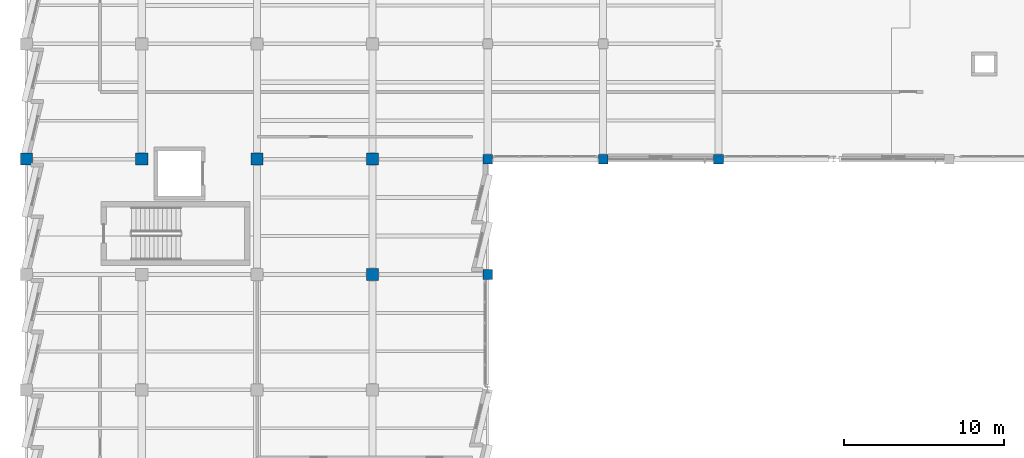
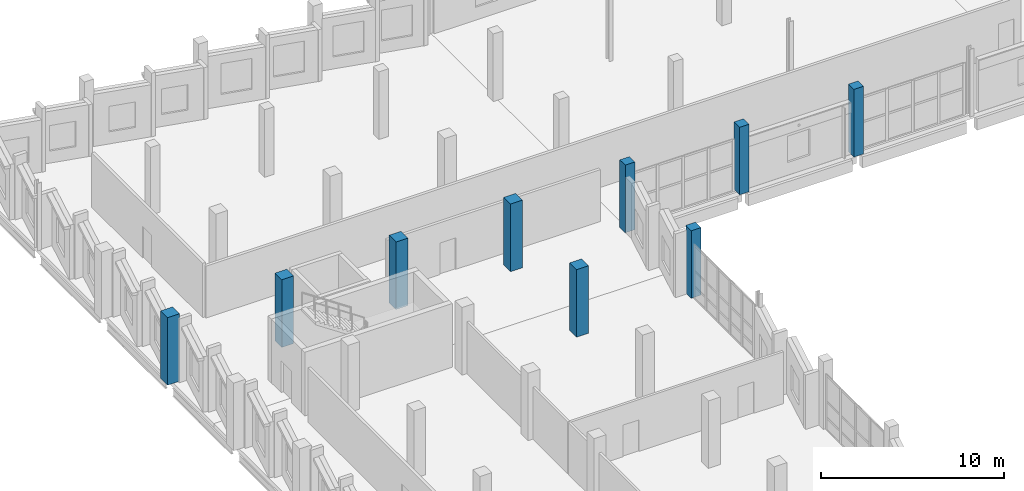
# One storey, part 10 of 123: 9 columns.
"""IFC4 building model written with IfcOpenShell, lengths in metres."""

from ifc_helpers import new_model, si_unit, direction, frame, origin, origin_2d, place, context, subcontext, project, spatial, rectangle, extrude, material, material_profile, profile_set, type_object, element, save


model = new_model("IFC4")

# Units and contexts
model_context = context("Model", 3, precision=1e-05, world=origin(), true_north=direction((0.0, 1.0)))
body_context = subcontext(model_context, "Body", "Model", "MODEL_VIEW")
ifc_project = project(units=[si_unit("LENGTHUNIT", "METRE"), si_unit("AREAUNIT", "SQUARE_METRE"), si_unit("VOLUMEUNIT", "CUBIC_METRE"), si_unit("PLANEANGLEUNIT", "RADIAN"), si_unit("MASSUNIT", "GRAM", prefix="KILO")], contexts=[model_context])

# Site, building, storey
site_placement = place(None, origin())
site = spatial("IfcSite", under=ifc_project, at=site_placement, CompositionType="ELEMENT")
building_placement = place(site_placement, origin())
building = spatial("IfcBuilding", under=site, at=building_placement, Name="Kalmorath City Hall", CompositionType="ELEMENT")
storey_placement = place(building_placement, frame((0.0, 0.0, 10.199951171875)))
storey = spatial("IfcBuildingStorey", under=building, at=storey_placement, Name="L02", CompositionType="ELEMENT", Elevation=10.199951171875)

# Columns
ifc_material_1 = material(Name="Concrete C50/60", Category="concrete")
ifc_material_profile_1 = material_profile(ifc_material_1, rectangle(XDim=0.60009765625, YDim=0.60009765625, at=origin_2d()), Name="RC-COL-600X600")
ifc_profile_set_1 = profile_set([ifc_material_profile_1], Name="Concrete C50/60")
column_type_1 = type_object("IfcColumnType", Name="Concrete column 600x600", PredefinedType="COLUMN", material=ifc_profile_set_1)
for number, where, z_axis, x_axis, name in (
    (1, (28.800048828125, 86.39990234375, 0.0), (0.0, 0.0, 1.0), (1.0, 0.0, 0.0), "L02 column C6 (5/13)"),
    (2, (28.800048828125, 93.60009765625, 0.0), (0.0, 0.0, 1.0), (1.0, 0.0, 0.0), "L02 column C6 (5/14)"),
    (3, (36.0, 93.60009765625, 0.0), (0.0, 0.0, 1.0), (1.0, 0.0, 0.0), "L02 column C6 (6/14)"),
    (4, (43.199951171875, 93.60009765625, 0.0), (0.0, 0.0, 1.0), (1.0, 0.0, 0.0), "L02 column C6 (7/14)"),
):
    element("IfcColumn", number, at=place(storey_placement, frame(where, z_axis=z_axis, x_axis=x_axis)), inside=storey, type_object=column_type_1, Name=name, PredefinedType="COLUMN", context=body_context, shape_type="SweptSolid", body=[
        extrude(rectangle(XDim=0.60009765625, YDim=0.60009765625, at=origin_2d()), origin(), (0.0, 0.0, 1.0), 4.5),
    ])
ifc_material_2 = material(Name="Concrete C50/60", Category="concrete")
ifc_material_profile_2 = material_profile(ifc_material_2, rectangle(XDim=0.75, YDim=0.75, at=origin_2d()), Name="RC-COL-750X750")
ifc_profile_set_2 = profile_set([ifc_material_profile_2], Name="Concrete C50/60")
column_type_2 = type_object("IfcColumnType", Name="Concrete column 750x750", PredefinedType="COLUMN", material=ifc_profile_set_2)
for number, where, z_axis, x_axis, name in (
    (5, (0.0, 93.60009765625, 0.0), (0.0, 0.0, 1.0), (1.0, 0.0, 0.0), "L02 column C3 (1/14)"),
    (6, (7.199951171875, 93.60009765625, 0.0), (0.0, 0.0, 1.0), (1.0, 0.0, 0.0), "L02 column C3 (2/14)"),
    (7, (14.39990234375, 93.60009765625, 0.0), (0.0, 0.0, 1.0), (1.0, 0.0, 0.0), "L02 column C3 (3/14)"),
    (8, (21.60009765625, 86.39990234375, 0.0), (0.0, 0.0, 1.0), (1.0, 0.0, 0.0), "L02 column C3 (4/13)"),
    (9, (21.60009765625, 93.60009765625, 0.0), (0.0, 0.0, 1.0), (1.0, 0.0, 0.0), "L02 column C3 (4/14)"),
):
    element("IfcColumn", number, at=place(storey_placement, frame(where, z_axis=z_axis, x_axis=x_axis)), inside=storey, type_object=column_type_2, Name=name, PredefinedType="COLUMN", context=body_context, shape_type="SweptSolid", body=[
        extrude(rectangle(XDim=0.75, YDim=0.75, at=origin_2d()), origin(), (0.0, 0.0, 1.0), 4.5),
    ])

save(model, "model.ifc")
